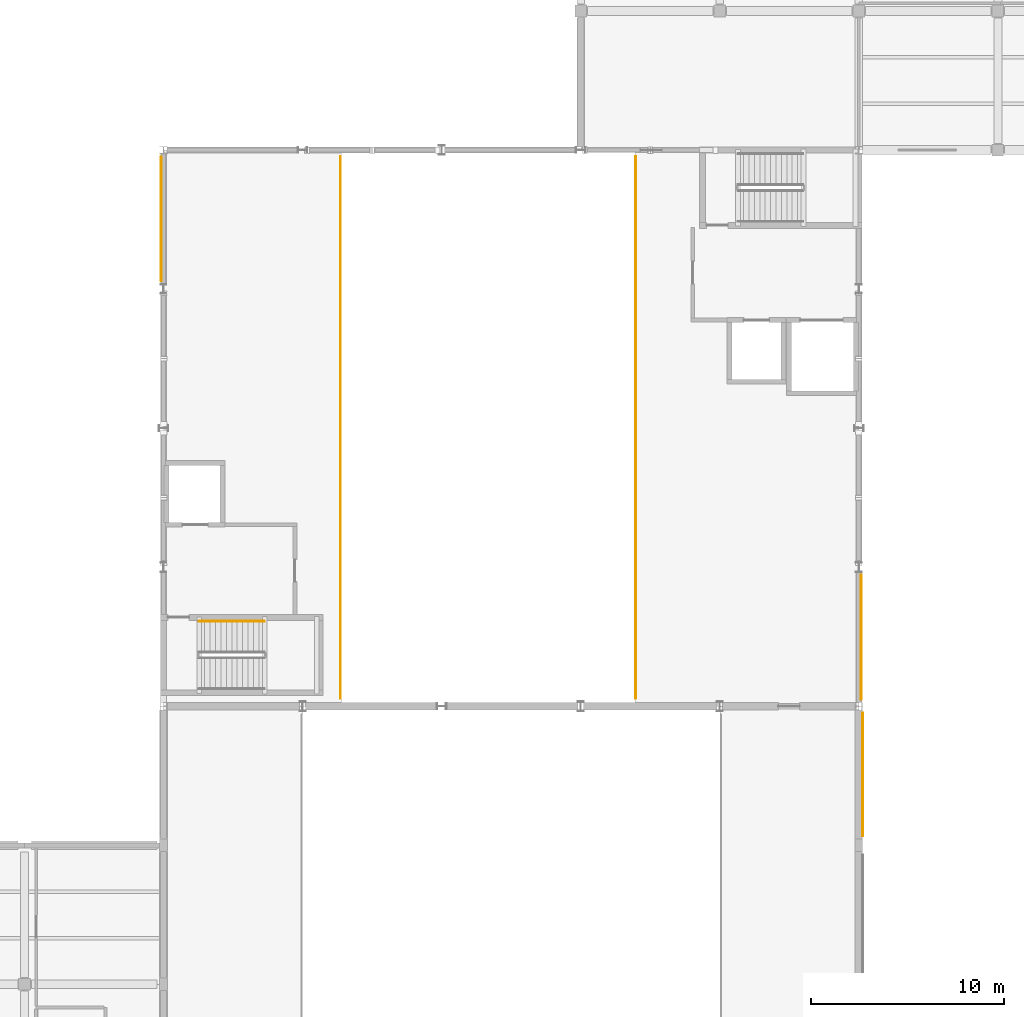
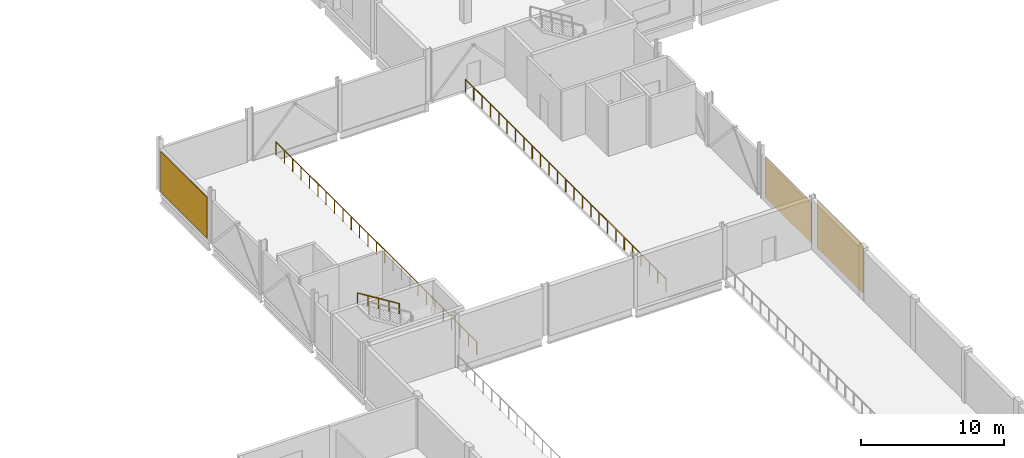
# One storey, part 102 of 105: 3 coverings, 3 railings.
"""IFC4 building model written with IfcOpenShell, lengths in metres."""

from ifc_helpers import new_model, si_unit, direction, frame, origin, origin_2d, place, context, subcontext, project, spatial, rectangle, circle, extrude, material, layer, layer_set, type_object, element, save


model = new_model("IFC4")

# Units and contexts
model_context = context("Model", 3, precision=1e-05, world=origin(), true_north=direction((0.0, 1.0)))
body_context = subcontext(model_context, "Body", "Model", "MODEL_VIEW")
ifc_project = project(units=[si_unit("LENGTHUNIT", "METRE"), si_unit("AREAUNIT", "SQUARE_METRE"), si_unit("VOLUMEUNIT", "CUBIC_METRE"), si_unit("PLANEANGLEUNIT", "RADIAN"), si_unit("MASSUNIT", "GRAM", prefix="KILO"), si_unit("THERMODYNAMICTEMPERATUREUNIT", "KELVIN"), si_unit("POWERUNIT", "WATT")], contexts=[model_context])

# Site, building, storey
site_placement = place(None, origin())
site = spatial("IfcSite", under=ifc_project, at=site_placement, CompositionType="ELEMENT")
building_placement = place(site_placement, origin())
building = spatial("IfcBuilding", under=site, at=building_placement, Name="Kaldorven Railside Theatre", CompositionType="ELEMENT")
storey_placement = place(building_placement, frame((0.0, 0.0, 9.89990234375)))
storey = spatial("IfcBuildingStorey", under=building, at=storey_placement, Name="L02", CompositionType="ELEMENT", Elevation=9.89990234375)

# Coverings
ifc_material_1 = material(Name="Bush-hammered precast concrete C40/50", Category="concrete")
ifc_layer = layer(ifc_material_1, 0.050048828125, Name="Bush-hammered precast concrete C40/50")
ifc_layer_set = layer_set([ifc_layer], Name="Bush-hammered precast concrete C40/50")
covering_type = type_object("IfcCoveringType", Name="COV-CLD-01", PredefinedType="CLADDING", material=ifc_layer_set)
covering_1_placement = place(storey_placement, frame((123.410888671875, 80.46923828125, 0.10009765625), z_axis=(0.0, 0.0, 1.0), x_axis=(0.0, -1.0, 0.0)))
element("IfcCovering", 1, at=covering_1_placement, inside=storey, type_object=covering_type, Name="Bush-Hammered Laterite Rainscreen Panel CLD-013", PredefinedType="CLADDING", context=body_context, shape_type="SweptSolid", body=[
    extrude(rectangle(XDim=6.388916015625, YDim=0.050048828125, at=origin_2d()), origin(), (0.0, 0.0, 1.0), 4.06005859375),
])
covering_2_placement = place(storey_placement, frame((87.069091796875, 109.23291015625, 0.10009765625), z_axis=(0.0, 0.0, 1.0), x_axis=(0.0, 1.0, 0.0)))
element("IfcCovering", 2, at=covering_2_placement, inside=storey, type_object=covering_type, Name="Bush-Hammered Laterite Rainscreen Panel CLD-037", PredefinedType="CLADDING", context=body_context, shape_type="SweptSolid", body=[
    extrude(rectangle(XDim=6.466064453125, YDim=0.050048828125, at=origin_2d()), origin(), (0.0, 0.0, 1.0), 3.455078125),
])
covering_3_placement = place(storey_placement, frame((123.3310546875, 87.568115234375, 0.10009765625), z_axis=(0.0, 0.0, 1.0), x_axis=(0.0, -1.0, 0.0)))
element("IfcCovering", 3, at=covering_3_placement, inside=storey, type_object=covering_type, Name="Bush-Hammered Laterite Rainscreen Panel CLD-038", PredefinedType="CLADDING", context=body_context, shape_type="SweptSolid", body=[
    extrude(rectangle(XDim=6.464111328125, YDim=0.050048828125, at=origin_2d()), origin(), (0.0, 0.0, 1.0), 3.455078125),
])

# Railings
ifc_material_2 = material(Name="Anodised bronze aluminium", Category="aluminium")
railing_type_1 = type_object("IfcRailingType", Name="RLG-BAL-1100", PredefinedType="BALUSTRADE", material=ifc_material_2)
railing_1_placement = place(storey_placement, frame((96.360107421875, 112.469970703125, 0.0)))
element("IfcRailing", 4, at=railing_1_placement, inside=storey, type_object=railing_type_1, Name="L02 Safety Balustrade GR-097", PredefinedType="BALUSTRADE", context=body_context, shape_type="SweptSolid", body=[
    extrude(circle(Radius=0.02392578125, at=origin_2d()), frame((0.0, 0.0, 1.09619140625), z_axis=(0.0, -1.0, 0.0), x_axis=(1.0, 0.0, 0.0)), (0.0, 0.0, 1.0), 28.050048828125),
    extrude(circle(Radius=0.02099609375, at=origin_2d()), origin(), (0.0, 0.0, 1.0), 1.072021484375),
    extrude(circle(Radius=0.02099609375, at=origin_2d()), frame((0.0, -1.168701171875, 0.0)), (0.0, 0.0, 1.0), 1.072021484375),
    extrude(circle(Radius=0.02099609375, at=origin_2d()), frame((0.0, -2.33740234375, 0.0)), (0.0, 0.0, 1.0), 1.072021484375),
    extrude(circle(Radius=0.02099609375, at=origin_2d()), frame((0.0, -3.50634765625, 0.0)), (0.0, 0.0, 1.0), 1.072021484375),
    extrude(circle(Radius=0.02099609375, at=origin_2d()), frame((0.0, -4.675048828125, 0.0)), (0.0, 0.0, 1.0), 1.072021484375),
    extrude(circle(Radius=0.02099609375, at=origin_2d()), frame((0.0, -5.84375, 0.0)), (0.0, 0.0, 1.0), 1.072021484375),
    extrude(circle(Radius=0.02099609375, at=origin_2d()), frame((0.0, -7.012451171875, 0.0)), (0.0, 0.0, 1.0), 1.072021484375),
    extrude(circle(Radius=0.02099609375, at=origin_2d()), frame((0.0, -8.18115234375, 0.0)), (0.0, 0.0, 1.0), 1.072021484375),
    extrude(circle(Radius=0.02099609375, at=origin_2d()), frame((0.0, -9.35009765625, 0.0)), (0.0, 0.0, 1.0), 1.072021484375),
    extrude(circle(Radius=0.02099609375, at=origin_2d()), frame((0.0, -10.518798828125, 0.0)), (0.0, 0.0, 1.0), 1.072021484375),
    extrude(circle(Radius=0.02099609375, at=origin_2d()), frame((0.0, -11.6875, 0.0)), (0.0, 0.0, 1.0), 1.072021484375),
    extrude(circle(Radius=0.02099609375, at=origin_2d()), frame((0.0, -12.856201171875, 0.0)), (0.0, 0.0, 1.0), 1.072021484375),
    extrude(circle(Radius=0.02099609375, at=origin_2d()), frame((0.0, -14.02490234375, 0.0)), (0.0, 0.0, 1.0), 1.072021484375),
    extrude(circle(Radius=0.02099609375, at=origin_2d()), frame((0.0, -15.19384765625, 0.0)), (0.0, 0.0, 1.0), 1.072021484375),
    extrude(circle(Radius=0.02099609375, at=origin_2d()), frame((0.0, -16.362548828125, 0.0)), (0.0, 0.0, 1.0), 1.072021484375),
    extrude(circle(Radius=0.02099609375, at=origin_2d()), frame((0.0, -17.53125, 0.0)), (0.0, 0.0, 1.0), 1.072021484375),
    extrude(circle(Radius=0.02099609375, at=origin_2d()), frame((0.0, -18.699951171875, 0.0)), (0.0, 0.0, 1.0), 1.072021484375),
    extrude(circle(Radius=0.02099609375, at=origin_2d()), frame((0.0, -19.868896484375, 0.0)), (0.0, 0.0, 1.0), 1.072021484375),
    extrude(circle(Radius=0.02099609375, at=origin_2d()), frame((0.0, -21.03759765625, 0.0)), (0.0, 0.0, 1.0), 1.072021484375),
    extrude(circle(Radius=0.02099609375, at=origin_2d()), frame((0.0, -22.206298828125, 0.0)), (0.0, 0.0, 1.0), 1.072021484375),
    extrude(circle(Radius=0.02099609375, at=origin_2d()), frame((0.0, -23.375, 0.0)), (0.0, 0.0, 1.0), 1.072021484375),
    extrude(circle(Radius=0.02099609375, at=origin_2d()), frame((0.0, -24.543701171875, 0.0)), (0.0, 0.0, 1.0), 1.072021484375),
    extrude(circle(Radius=0.02099609375, at=origin_2d()), frame((0.0, -25.712646484375, 0.0)), (0.0, 0.0, 1.0), 1.072021484375),
    extrude(circle(Radius=0.02099609375, at=origin_2d()), frame((0.0, -26.88134765625, 0.0)), (0.0, 0.0, 1.0), 1.072021484375),
    extrude(circle(Radius=0.02099609375, at=origin_2d()), frame((0.0, -28.050048828125, 0.0)), (0.0, 0.0, 1.0), 1.072021484375),
])
railing_2_placement = place(storey_placement, frame((111.639892578125, 84.419921875, 0.0)))
element("IfcRailing", 5, at=railing_2_placement, inside=storey, type_object=railing_type_1, Name="L02 Safety Balustrade GR-099", PredefinedType="BALUSTRADE", context=body_context, shape_type="SweptSolid", body=[
    extrude(circle(Radius=0.02392578125, at=origin_2d()), frame((0.0, 0.0, 1.09619140625), z_axis=(0.0, 1.0, 0.0), x_axis=(-1.0, 0.0, 0.0)), (0.0, 0.0, 1.0), 28.050048828125),
    extrude(circle(Radius=0.02099609375, at=origin_2d()), origin(), (0.0, 0.0, 1.0), 1.072021484375),
    extrude(circle(Radius=0.02099609375, at=origin_2d()), frame((0.0, 1.168701171875, 0.0)), (0.0, 0.0, 1.0), 1.072021484375),
    extrude(circle(Radius=0.02099609375, at=origin_2d()), frame((0.0, 2.33740234375, 0.0)), (0.0, 0.0, 1.0), 1.072021484375),
    extrude(circle(Radius=0.02099609375, at=origin_2d()), frame((0.0, 3.50634765625, 0.0)), (0.0, 0.0, 1.0), 1.072021484375),
    extrude(circle(Radius=0.02099609375, at=origin_2d()), frame((0.0, 4.675048828125, 0.0)), (0.0, 0.0, 1.0), 1.072021484375),
    extrude(circle(Radius=0.02099609375, at=origin_2d()), frame((0.0, 5.84375, 0.0)), (0.0, 0.0, 1.0), 1.072021484375),
    extrude(circle(Radius=0.02099609375, at=origin_2d()), frame((0.0, 7.012451171875, 0.0)), (0.0, 0.0, 1.0), 1.072021484375),
    extrude(circle(Radius=0.02099609375, at=origin_2d()), frame((0.0, 8.18115234375, 0.0)), (0.0, 0.0, 1.0), 1.072021484375),
    extrude(circle(Radius=0.02099609375, at=origin_2d()), frame((0.0, 9.35009765625, 0.0)), (0.0, 0.0, 1.0), 1.072021484375),
    extrude(circle(Radius=0.02099609375, at=origin_2d()), frame((0.0, 10.518798828125, 0.0)), (0.0, 0.0, 1.0), 1.072021484375),
    extrude(circle(Radius=0.02099609375, at=origin_2d()), frame((0.0, 11.6875, 0.0)), (0.0, 0.0, 1.0), 1.072021484375),
    extrude(circle(Radius=0.02099609375, at=origin_2d()), frame((0.0, 12.856201171875, 0.0)), (0.0, 0.0, 1.0), 1.072021484375),
    extrude(circle(Radius=0.02099609375, at=origin_2d()), frame((0.0, 14.02490234375, 0.0)), (0.0, 0.0, 1.0), 1.072021484375),
    extrude(circle(Radius=0.02099609375, at=origin_2d()), frame((0.0, 15.19384765625, 0.0)), (0.0, 0.0, 1.0), 1.072021484375),
    extrude(circle(Radius=0.02099609375, at=origin_2d()), frame((0.0, 16.362548828125, 0.0)), (0.0, 0.0, 1.0), 1.072021484375),
    extrude(circle(Radius=0.02099609375, at=origin_2d()), frame((0.0, 17.53125, 0.0)), (0.0, 0.0, 1.0), 1.072021484375),
    extrude(circle(Radius=0.02099609375, at=origin_2d()), frame((0.0, 18.699951171875, 0.0)), (0.0, 0.0, 1.0), 1.072021484375),
    extrude(circle(Radius=0.02099609375, at=origin_2d()), frame((0.0, 19.868896484375, 0.0)), (0.0, 0.0, 1.0), 1.072021484375),
    extrude(circle(Radius=0.02099609375, at=origin_2d()), frame((0.0, 21.03759765625, 0.0)), (0.0, 0.0, 1.0), 1.072021484375),
    extrude(circle(Radius=0.02099609375, at=origin_2d()), frame((0.0, 22.206298828125, 0.0)), (0.0, 0.0, 1.0), 1.072021484375),
    extrude(circle(Radius=0.02099609375, at=origin_2d()), frame((0.0, 23.375, 0.0)), (0.0, 0.0, 1.0), 1.072021484375),
    extrude(circle(Radius=0.02099609375, at=origin_2d()), frame((0.0, 24.543701171875, 0.0)), (0.0, 0.0, 1.0), 1.072021484375),
    extrude(circle(Radius=0.02099609375, at=origin_2d()), frame((0.0, 25.712646484375, 0.0)), (0.0, 0.0, 1.0), 1.072021484375),
    extrude(circle(Radius=0.02099609375, at=origin_2d()), frame((0.0, 26.88134765625, 0.0)), (0.0, 0.0, 1.0), 1.072021484375),
    extrude(circle(Radius=0.02099609375, at=origin_2d()), frame((0.0, 28.050048828125, 0.0)), (0.0, 0.0, 1.0), 1.072021484375),
])
ifc_material_3 = material(Name="Steel S355", Category="steel")
railing_type_2 = type_object("IfcRailingType", Name="RLG-STH-900", PredefinedType="HANDRAIL", material=ifc_material_3)
railing_3_placement = place(storey_placement, frame((92.409912109375, 88.39990234375, 2.423095703125)))
element("IfcRailing", 6, at=railing_3_placement, inside=storey, type_object=railing_type_2, Name="L02 ST-05 stair handrail 2", PredefinedType="HANDRAIL", context=body_context, shape_type="SweptSolid", body=[
    extrude(circle(Radius=0.02392578125, at=origin_2d()), frame((0.0, 0.0, 0.8759765625), z_axis=(-0.850606129759, 0.0, 0.525803396734), x_axis=(0.0, -1.0, 0.0)), (0.0, 0.0, 1.0), 3.949951171875),
    extrude(circle(Radius=0.02099609375, at=origin_2d()), origin(), (0.0, 0.0, 1.0), 0.851806640625),
    extrude(circle(Radius=0.02099609375, at=origin_2d()), frame((-0.83984375, 0.0, 0.519287109375)), (0.0, 0.0, 1.0), 0.851806640625),
    extrude(circle(Radius=0.02099609375, at=origin_2d()), frame((-1.679931640625, 0.0, 1.03857421875)), (0.0, 0.0, 1.0), 0.851806640625),
    extrude(circle(Radius=0.02099609375, at=origin_2d()), frame((-2.52001953125, 0.0, 1.5576171875)), (0.0, 0.0, 1.0), 0.851806640625),
    extrude(circle(Radius=0.02099609375, at=origin_2d()), frame((-3.35986328125, 0.0, 2.076904296875)), (0.0, 0.0, 1.0), 0.851806640625),
])

save(model, "model.ifc")
